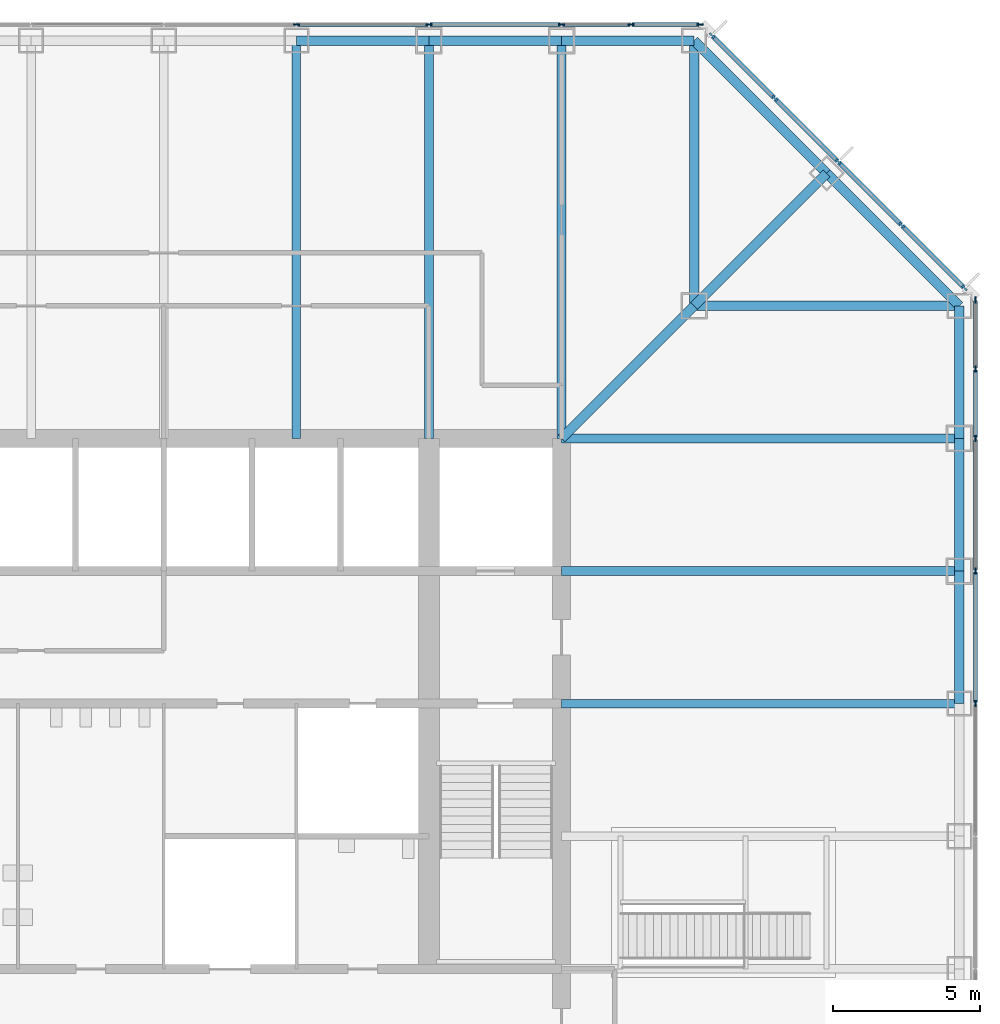
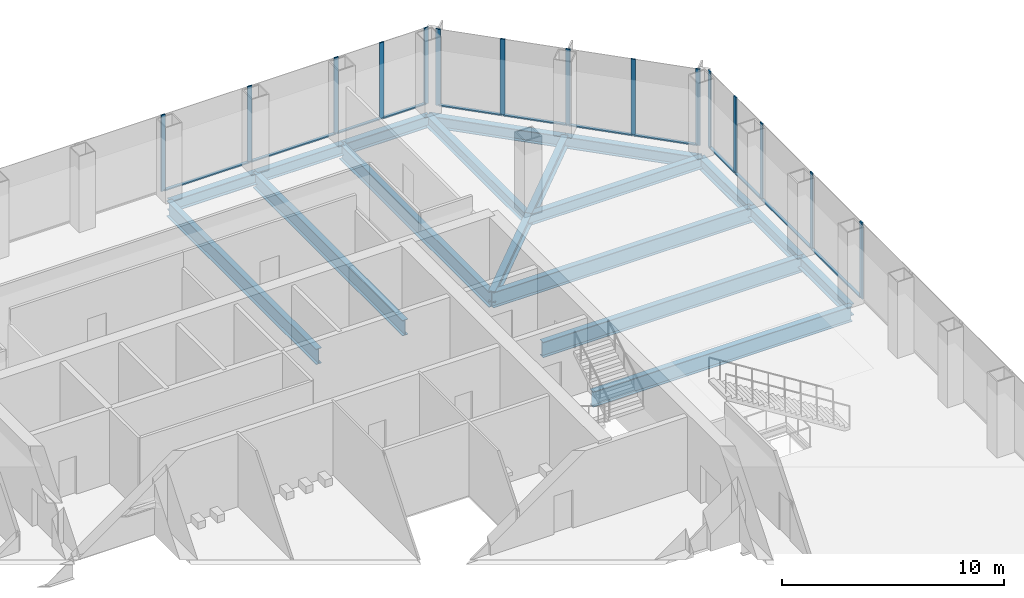
# One storey, part 6 of 12: 27 members, 18 beams, 3 elements without a shape of their own.
"""IFC4 building model written with IfcOpenShell, lengths in metres."""

import ifcopenshell
import ifcopenshell.guid

model = None  # the IFC model being written
_history = None  # IfcOwnerHistory: only IFC2X3 demands one
_inside = {}  # id of a spatial element -> (the spatial element, [elements in it])
_under = {}  # id of a project, library or spatial element -> (it, [spatial elements below it])
_declared = {}  # id of a project -> (the project, [libraries it declares])
_typed = {}  # id of a type object -> (the type object, [elements of that type])
_made_of = {}  # id of a material, layer set ... -> (it, [elements and type objects made of it])


def new_model(schema):
    """Start an empty IFC model of exactly this schema.

    Asked for "IFC4X3", IfcOpenShell would pick the latest addendum, in which some entities
    have other attributes; the version numbers below select the first issue.
    IFC2X3 requires an IfcOwnerHistory on every rooted entity: one is made here for all.
    """
    global model, _history
    if schema == "IFC4X3":
        model = ifcopenshell.file(schema_version=(4, 3, 0, 0))
    else:
        model = ifcopenshell.file(schema=schema)
    _inside.clear()
    _under.clear()
    _declared.clear()
    _typed.clear()
    _made_of.clear()
    _history = None
    if model.schema == "IFC2X3":
        org = make("IfcOrganization", Name="unknown")
        user = make(
            "IfcPersonAndOrganization",
            ThePerson=make("IfcPerson", FamilyName="unknown"),
            TheOrganization=org,
        )
        app = make(
            "IfcApplication",
            ApplicationDeveloper=org,
            Version="unknown",
            ApplicationFullName="unknown",
            ApplicationIdentifier="unknown",
        )
        _history = make(
            "IfcOwnerHistory",
            OwningUser=user,
            OwningApplication=app,
            ChangeAction="ADDED",
            CreationDate=0,
        )
    return model


def make(cls, **values):
    """One entity of the class cls with the attributes given. An attribute that is None is left unset."""
    return model.create_entity(
        cls, **{name: value for name, value in values.items() if value is not None}
    )


def rooted(cls, **values):
    """An entity with a GlobalId (a new one), such as an element, a storey or a relation."""
    return make(cls, GlobalId=ifcopenshell.guid.new(), OwnerHistory=_history, **values)


def si_unit(unit_type, name, prefix=None):
    """IfcSIUnit, for example si_unit("LENGTHUNIT", "METRE", prefix="MILLI")."""
    return make("IfcSIUnit", UnitType=unit_type, Prefix=prefix, Name=name)


def assignment(units):
    """IfcUnitAssignment: the units of a project."""
    return None if units is None else make("IfcUnitAssignment", Units=units)


def point(xyz):
    """IfcCartesianPoint."""
    return None if xyz is None else make("IfcCartesianPoint", Coordinates=xyz)


def direction(xyz):
    """IfcDirection."""
    return None if xyz is None else make("IfcDirection", DirectionRatios=xyz)


def frame(location, z_axis=None, x_axis=None):
    """IfcAxis2Placement3D, a coordinate frame: its origin and axes. An axis left out is left unset."""
    return make(
        "IfcAxis2Placement3D",
        Location=point(location),
        Axis=direction(z_axis),
        RefDirection=direction(x_axis),
    )


def frame_2d(location, x_axis=None):
    """IfcAxis2Placement2D, a coordinate frame in the plane: its origin and x axis."""
    return make(
        "IfcAxis2Placement2D", Location=point(location), RefDirection=direction(x_axis)
    )


def origin():
    """The frame at (0, 0, 0) with its axes left unset."""
    return frame((0.0, 0.0, 0.0))


def origin_2d():
    """The frame at (0, 0) in the plane with its x axis left unset."""
    return frame_2d((0.0, 0.0))


def place(relative_to, where):
    """IfcLocalPlacement: puts the frame where relative to a parent placement (None: the world)."""
    return make(
        "IfcLocalPlacement", PlacementRelTo=relative_to, RelativePlacement=where
    )


def context(
    kind, dimensions, precision=None, world=None, true_north=None, identifier=None
):
    """IfcGeometricRepresentationContext, for example the 3D "Model" context."""
    return make(
        "IfcGeometricRepresentationContext",
        ContextIdentifier=identifier,
        ContextType=kind,
        CoordinateSpaceDimension=dimensions,
        Precision=precision,
        WorldCoordinateSystem=world,
        TrueNorth=true_north,
    )


def subcontext(parent, identifier, kind, view, scale=None):
    """IfcGeometricRepresentationSubContext, for example "Body" below "Model"."""
    return make(
        "IfcGeometricRepresentationSubContext",
        ContextIdentifier=identifier,
        ContextType=kind,
        ParentContext=parent,
        TargetScale=scale,
        TargetView=view,
    )


def project(units=None, contexts=None):
    """IfcProject with its units and contexts."""
    return rooted(
        "IfcProject",
        Name="project",
        RepresentationContexts=contexts,
        UnitsInContext=assignment(units),
    )


def spatial(cls, under=None, at=None, **own):
    """A site, building, storey or space (cls), placed at a placement, below another one or the project."""
    s = rooted(cls, ObjectPlacement=at, **own)
    if under is not None:
        _under.setdefault(under.id(), (under, []))[1].append(s)
    return s


def profile(cls, at=None, kind="AREA", **sizes):
    """A parametric profile (cls). Its sizes go by their IFC names, for example OverallWidth=200.0."""
    return make(cls, ProfileType=kind, Position=at, **sizes)


def rectangle(**sizes):
    """IfcRectangleProfileDef."""
    return profile("IfcRectangleProfileDef", **sizes)


def i_section(**sizes):
    """IfcIShapeProfileDef."""
    return profile("IfcIShapeProfileDef", **sizes)


def extrude(swept, where, along, depth):
    """IfcExtrudedAreaSolid: the profile swept, set in the frame where, extruded along a direction by depth."""
    return make(
        "IfcExtrudedAreaSolid",
        SweptArea=swept,
        Position=where,
        ExtrudedDirection=direction(along),
        Depth=depth,
    )


def shape(context_of_items, identifier, shape_type, items):
    """IfcShapeRepresentation: the items that make up one representation, for example the "Body"."""
    return make(
        "IfcShapeRepresentation",
        ContextOfItems=context_of_items,
        RepresentationIdentifier=identifier,
        RepresentationType=shape_type,
        Items=items,
    )


def material(Name=None, Category=None):
    """IfcMaterial."""
    return make("IfcMaterial", Name=Name, Category=Category)


def material_profile(
    of_material, cross_section, Name=None, Category=None, Priority=None
):
    """IfcMaterialProfile: a cross section and its material."""
    return make(
        "IfcMaterialProfile",
        Name=Name,
        Material=of_material,
        Profile=cross_section,
        Priority=Priority,
        Category=Category,
    )


def profile_set(profiles, Name=None, composite=None):
    """IfcMaterialProfileSet."""
    return make(
        "IfcMaterialProfileSet",
        Name=Name,
        MaterialProfiles=profiles,
        CompositeProfile=composite,
    )


def made_of(thing, what):
    """Note that an element or type object is made of a material, layer set ...; save() writes the relation."""
    if what is not None:
        _made_of.setdefault(what.id(), (what, []))[1].append(thing)
    return thing


def type_object(cls, material=None, **own):
    """A type object (cls), such as IfcWallType, which elements share."""
    return made_of(rooted(cls, **own), material)


def element(
    cls,
    number,
    at=None,
    inside=None,
    cuts=None,
    type_object=None,
    material=None,
    context=None,
    identifier="Body",
    shape_type=None,
    held_by="IfcProductDefinitionShape",
    body=None,
    shapes=None,
    **own,
):
    """One element of the class cls, such as IfcWall. Its Tag is "e" and its number.

    at: its placement. inside: the storey or other place that contains it. cuts: it is an
    opening in that element (IfcRelVoidsElement). A single representation is given by context,
    identifier, shape_type and body (its items); several are given by shapes. held_by: the class
    of the entity that holds the representations. save() writes the other relations.
    """
    e = rooted(cls, Tag="e%d" % number, ObjectPlacement=at, **own)
    if body is not None:
        shapes = [shape(context, identifier, shape_type, body)]
    if shapes is not None:
        e.Representation = make(held_by, Representations=shapes)
    if inside is not None:
        _inside.setdefault(inside.id(), (inside, []))[1].append(e)
    if cuts is not None:
        rooted(
            "IfcRelVoidsElement", RelatingBuildingElement=cuts, RelatedOpeningElement=e
        )
    if type_object is not None:
        _typed.setdefault(type_object.id(), (type_object, []))[1].append(e)
    return made_of(e, material)


def aggregate(whole, parts):
    """IfcRelAggregates: a whole, such as a stair, and the parts it consists of."""
    return rooted("IfcRelAggregates", RelatingObject=whole, RelatedObjects=parts)


def save(model, path):
    """Write the relations noted so far, then the file.

    IfcRelAggregates (storeys below a building ...), IfcRelContainedInSpatialStructure (elements
    in a storey), IfcRelDefinesByType, IfcRelAssociatesMaterial and IfcRelDeclares: one each for
    every whole, place, type object, material and project.
    """
    for whole, parts in _under.values():
        aggregate(whole, parts)
    for where, things in _inside.values():
        rooted(
            "IfcRelContainedInSpatialStructure",
            RelatedElements=things,
            RelatingStructure=where,
        )
    for kind, things in _typed.values():
        rooted("IfcRelDefinesByType", RelatedObjects=things, RelatingType=kind)
    for what, things in _made_of.values():
        rooted("IfcRelAssociatesMaterial", RelatedObjects=things, RelatingMaterial=what)
    for by, libraries in _declared.values():
        rooted("IfcRelDeclares", RelatingContext=by, RelatedDefinitions=libraries)
    model.write(path)


model = new_model("IFC4")

# Units and contexts
model_context = context("Model", 3, precision=1e-05, world=origin(), true_north=direction((0.0, 1.0)))
body_context = subcontext(model_context, "Body", "Model", "MODEL_VIEW")
ifc_project = project(units=[si_unit("LENGTHUNIT", "METRE"), si_unit("AREAUNIT", "SQUARE_METRE"), si_unit("VOLUMEUNIT", "CUBIC_METRE"), si_unit("PLANEANGLEUNIT", "RADIAN"), si_unit("MASSUNIT", "GRAM", prefix="KILO")], contexts=[model_context])

# Site, building, storey
site_placement = place(None, origin())
site = spatial("IfcSite", under=ifc_project, at=site_placement, CompositionType="ELEMENT")
building_placement = place(site_placement, origin())
building = spatial("IfcBuilding", under=site, at=building_placement, Name="Corais Broadcast Tower", CompositionType="ELEMENT")
storey_placement = place(building_placement, frame((0.0, 0.0, 33.199951171875)))
storey = spatial("IfcBuildingStorey", under=building, at=storey_placement, Name="L06", CompositionType="ELEMENT", Elevation=33.199951171875)

# Beams
ifc_material_1 = material(Name="Steel ASTM A572 Grade 50", Category="steel")
ifc_material_profile_1 = material_profile(ifc_material_1, i_section(OverallWidth=0.323974609375, OverallDepth=0.611083984375, WebThickness=0.0126953125, FlangeThickness=0.01904296875, at=origin_2d()), Name="W610x155")
ifc_profile_set_1 = profile_set([ifc_material_profile_1], Name="Steel ASTM A572 Grade 50")
beam_type_1 = type_object("IfcBeamType", Name="Chamfer tie W610x155", PredefinedType="BEAM", material=ifc_profile_set_1)
beam_1_placement = place(storey_placement, frame((49.5, 49.5, -0.46533203125), z_axis=(-0.707106781187, -0.707106781187, 0.0), x_axis=(0.707106781187, -0.707106781187, 0.0)))
element("IfcBeam", 1, at=beam_1_placement, inside=storey, type_object=beam_type_1, Name="B5 M/14 to L/13", PredefinedType="BEAM", context=body_context, shape_type="SweptSolid", body=[
    extrude(i_section(OverallWidth=0.323974609375, OverallDepth=0.611083984375, WebThickness=0.0126953125, FlangeThickness=0.01904296875, at=origin_2d()), origin(), (0.0, 0.0, 1.0), 6.364013671875),
])
ifc_material_2 = material(Name="Steel ASTM A572 Grade 50", Category="steel")
ifc_material_profile_2 = material_profile(ifc_material_2, i_section(OverallWidth=0.323974609375, OverallDepth=0.611083984375, WebThickness=0.0126953125, FlangeThickness=0.01904296875, at=origin_2d()), Name="W610x155")
ifc_profile_set_2 = profile_set([ifc_material_profile_2], Name="Steel ASTM A572 Grade 50")
beam_type_2 = type_object("IfcBeamType", Name="Corner diagonal W610x155", PredefinedType="BEAM", material=ifc_profile_set_2)
beam_2_placement = place(storey_placement, frame((45.0, 45.0, -0.46533203125), z_axis=(-0.707106781187, -0.707106781187, 0.0), x_axis=(0.707106781187, -0.707106781187, 0.0)))
element("IfcBeam", 2, at=beam_2_placement, inside=storey, type_object=beam_type_2, Name="B6 L/13 to K/12", PredefinedType="BEAM", context=body_context, shape_type="SweptSolid", body=[
    extrude(i_section(OverallWidth=0.323974609375, OverallDepth=0.611083984375, WebThickness=0.0126953125, FlangeThickness=0.01904296875, at=origin_2d()), origin(), (0.0, 0.0, 1.0), 6.364013671875),
])
ifc_material_3 = material(Name="Steel ASTM A572 Grade 50", Category="steel")
ifc_material_profile_3 = material_profile(ifc_material_3, i_section(OverallWidth=0.323974609375, OverallDepth=0.611083984375, WebThickness=0.0126953125, FlangeThickness=0.01904296875, at=origin_2d()), Name="W610x155")
ifc_profile_set_3 = profile_set([ifc_material_profile_3], Name="Steel ASTM A572 Grade 50")
beam_type_3 = type_object("IfcBeamType", Name="Corner girder W610x155", PredefinedType="BEAM", material=ifc_profile_set_3)
for number, where, z_axis, x_axis, name in (
    (3, (45.0, 54.0, -0.46533203125), (0.0, -1.0, 0.0), (1.0, 0.0, 0.0), "B4 N/13 to L/13"),
    (4, (54.0, 45.0, -0.46533203125), (-1.0, 0.0, 0.0), (0.0, -1.0, 0.0), "B4 L/15 to L/13"),
):
    element("IfcBeam", number, at=place(storey_placement, frame(where, z_axis=z_axis, x_axis=x_axis)), inside=storey, type_object=beam_type_3, Name=name, PredefinedType="BEAM", context=body_context, shape_type="SweptSolid", body=[
        extrude(i_section(OverallWidth=0.323974609375, OverallDepth=0.611083984375, WebThickness=0.0126953125, FlangeThickness=0.01904296875, at=origin_2d()), origin(), (0.0, 0.0, 1.0), 9.0),
    ])
ifc_material_4 = material(Name="Steel ASTM A572 Grade 50", Category="steel")
ifc_material_profile_4 = material_profile(ifc_material_4, i_section(OverallWidth=0.2939453125, OverallDepth=0.85107421875, WebThickness=0.01611328125, FlangeThickness=0.02685546875, at=origin_2d()), Name="W840x226")
ifc_profile_set_4 = profile_set([ifc_material_profile_4], Name="Steel ASTM A572 Grade 50")
beam_type_4 = type_object("IfcBeamType", Name="Floor beam W840x226", PredefinedType="BEAM", material=ifc_profile_set_4)
for number, where, z_axis, x_axis, name in (
    (5, (31.5, 54.0, -0.58544921875), (0.0, -1.0, 0.0), (1.0, 0.0, 0.0), "B1 N/10 to K/10"),
    (6, (36.0, 54.0, -0.58544921875), (0.0, -1.0, 0.0), (1.0, 0.0, 0.0), "B1 N/11 to K/11"),
    (7, (40.5, 54.0, -0.58544921875), (0.0, -1.0, 0.0), (1.0, 0.0, 0.0), "B1 N/12 to K/12"),
    (8, (54.0, 31.5, -0.58544921875), (-1.0, 0.0, 0.0), (0.0, -1.0, 0.0), "B1 H/15 to H/12"),
    (9, (54.0, 36.0, -0.58544921875), (-1.0, 0.0, 0.0), (0.0, -1.0, 0.0), "B1 J/15 to J/12"),
    (10, (54.0, 40.5, -0.58544921875), (-1.0, 0.0, 0.0), (0.0, -1.0, 0.0), "B1 K/15 to K/12"),
):
    element("IfcBeam", number, at=place(storey_placement, frame(where, z_axis=z_axis, x_axis=x_axis)), inside=storey, type_object=beam_type_4, Name=name, PredefinedType="BEAM", context=body_context, shape_type="SweptSolid", body=[
        extrude(i_section(OverallWidth=0.2939453125, OverallDepth=0.85107421875, WebThickness=0.01611328125, FlangeThickness=0.02685546875, at=origin_2d()), origin(), (0.0, 0.0, 1.0), 13.5),
    ])

# Curtain wall, members
ifc_material_5 = material(Name="Aluminium and glass", Category="aluminium")
curtain_wall_type = type_object("IfcCurtainWallType", Name="Newsroom clear-glass curtain wall CW7", PredefinedType="NOTDEFINED", material=ifc_material_5)
curtain_wall_1_placement = place(storey_placement, origin())
curtain_wall_1 = element("IfcCurtainWall", 11, at=curtain_wall_1_placement, inside=storey, type_object=curtain_wall_type, Name="CW7 curtain wall L06 4", PredefinedType="NOTDEFINED")
ifc_material_6 = material(Name="Aluminium 6063-T6", Category="aluminium")
ifc_material_profile_5 = material_profile(ifc_material_6, rectangle(XDim=0.06494140625, YDim=0.219970703125, at=origin_2d()), Name="Mullion CW7 65x220")
ifc_profile_set_5 = profile_set([ifc_material_profile_5], Name="Aluminium 6063-T6")
member_type_1 = type_object("IfcMemberType", Name="Mullion CW7 65x220", PredefinedType="MULLION", material=ifc_profile_set_5)
member_1_placement = place(storey_placement, frame((31.5, 54.550048828125, 0.0), z_axis=(0.0, 0.0, 1.0), x_axis=(0.0, 1.0, 0.0)))
member_1 = element("IfcMember", 12, at=member_1_placement, type_object=member_type_1, Name="CW7 mullion 7", PredefinedType="MULLION", context=body_context, shape_type="SweptSolid", body=[
    extrude(rectangle(XDim=0.06494140625, YDim=0.219970703125, at=origin_2d()), origin(), (0.0, 0.0, 1.0), 4.199951171875),
])
member_2_placement = place(storey_placement, frame((36.0, 54.550048828125, 0.0), z_axis=(0.0, 0.0, 1.0), x_axis=(0.0, 1.0, 0.0)))
member_2 = element("IfcMember", 13, at=member_2_placement, type_object=member_type_1, Name="CW7 mullion 8", PredefinedType="MULLION", context=body_context, shape_type="SweptSolid", body=[
    extrude(rectangle(XDim=0.06494140625, YDim=0.219970703125, at=origin_2d()), origin(), (0.0, 0.0, 1.0), 4.199951171875),
])
member_3_placement = place(storey_placement, frame((40.5, 54.550048828125, 0.0), z_axis=(0.0, 0.0, 1.0), x_axis=(0.0, 1.0, 0.0)))
member_3 = element("IfcMember", 14, at=member_3_placement, type_object=member_type_1, Name="CW7 mullion 9", PredefinedType="MULLION", context=body_context, shape_type="SweptSolid", body=[
    extrude(rectangle(XDim=0.06494140625, YDim=0.219970703125, at=origin_2d()), origin(), (0.0, 0.0, 1.0), 4.199951171875),
])
member_4_placement = place(storey_placement, frame((42.864013671875, 54.550048828125, 0.0), z_axis=(0.0, 0.0, 1.0), x_axis=(0.0, 1.0, 0.0)))
member_4 = element("IfcMember", 15, at=member_4_placement, type_object=member_type_1, Name="CW7 mullion 10", PredefinedType="MULLION", context=body_context, shape_type="SweptSolid", body=[
    extrude(rectangle(XDim=0.06494140625, YDim=0.219970703125, at=origin_2d()), origin(), (0.0, 0.0, 1.0), 4.199951171875),
])
member_5_placement = place(storey_placement, frame((45.1953125, 54.550048828125, 0.0), z_axis=(0.0, 0.0, 1.0), x_axis=(0.0, 1.0, 0.0)))
member_5 = element("IfcMember", 16, at=member_5_placement, type_object=member_type_1, Name="CW7 mullion 11", PredefinedType="MULLION", context=body_context, shape_type="SweptSolid", body=[
    extrude(rectangle(XDim=0.06494140625, YDim=0.219970703125, at=origin_2d()), origin(), (0.0, 0.0, 1.0), 4.199951171875),
])

curtain_wall_2_placement = place(storey_placement, origin())
curtain_wall_2 = element("IfcCurtainWall", 17, at=curtain_wall_2_placement, inside=storey, type_object=curtain_wall_type, Name="CW7 curtain wall L06 5", PredefinedType="NOTDEFINED")
member_6_placement = place(storey_placement, frame((45.6044921875, 54.17333984375, 0.0), z_axis=(0.0, 0.0, 1.0), x_axis=(0.707106781187, 0.707106781187, 0.0)))
member_6 = element("IfcMember", 18, at=member_6_placement, type_object=member_type_1, Name="CW7 mullion 1", PredefinedType="MULLION", context=body_context, shape_type="SweptSolid", body=[
    extrude(rectangle(XDim=0.06494140625, YDim=0.219970703125, at=origin_2d()), origin(), (0.0, 0.0, 1.0), 4.199951171875),
])
member_7_placement = place(storey_placement, frame((47.735107421875, 52.042724609375, 0.0), z_axis=(0.0, 0.0, 1.0), x_axis=(0.707106781187, 0.707106781187, 0.0)))
member_7 = element("IfcMember", 19, at=member_7_placement, type_object=member_type_1, Name="CW7 mullion 2", PredefinedType="MULLION", context=body_context, shape_type="SweptSolid", body=[
    extrude(rectangle(XDim=0.06494140625, YDim=0.219970703125, at=origin_2d()), origin(), (0.0, 0.0, 1.0), 4.199951171875),
])
member_8_placement = place(storey_placement, frame((49.888916015625, 49.888916015625, 0.0), z_axis=(0.0, 0.0, 1.0), x_axis=(0.707106781187, 0.707106781187, 0.0)))
member_8 = element("IfcMember", 20, at=member_8_placement, type_object=member_type_1, Name="CW7 mullion 3", PredefinedType="MULLION", context=body_context, shape_type="SweptSolid", body=[
    extrude(rectangle(XDim=0.06494140625, YDim=0.219970703125, at=origin_2d()), origin(), (0.0, 0.0, 1.0), 4.199951171875),
])
member_9_placement = place(storey_placement, frame((52.042724609375, 47.735107421875, 0.0), z_axis=(0.0, 0.0, 1.0), x_axis=(0.707106781187, 0.707106781187, 0.0)))
member_9 = element("IfcMember", 21, at=member_9_placement, type_object=member_type_1, Name="CW7 mullion 4", PredefinedType="MULLION", context=body_context, shape_type="SweptSolid", body=[
    extrude(rectangle(XDim=0.06494140625, YDim=0.219970703125, at=origin_2d()), origin(), (0.0, 0.0, 1.0), 4.199951171875),
])
member_10_placement = place(storey_placement, frame((54.17333984375, 45.6044921875, 0.0), z_axis=(0.0, 0.0, 1.0), x_axis=(0.707106781187, 0.707106781187, 0.0)))
member_10 = element("IfcMember", 22, at=member_10_placement, type_object=member_type_1, Name="CW7 mullion 5", PredefinedType="MULLION", context=body_context, shape_type="SweptSolid", body=[
    extrude(rectangle(XDim=0.06494140625, YDim=0.219970703125, at=origin_2d()), origin(), (0.0, 0.0, 1.0), 4.199951171875),
])

curtain_wall_3_placement = place(storey_placement, origin())
curtain_wall_3 = element("IfcCurtainWall", 23, at=curtain_wall_3_placement, inside=storey, type_object=curtain_wall_type, Name="CW7 curtain wall L06 6", PredefinedType="NOTDEFINED")
member_11_placement = place(storey_placement, frame((54.550048828125, 45.1953125, 0.0), z_axis=(0.0, 0.0, 1.0), x_axis=(1.0, 0.0, 0.0)))
member_11 = element("IfcMember", 24, at=member_11_placement, type_object=member_type_1, Name="CW7 mullion 1", PredefinedType="MULLION", context=body_context, shape_type="SweptSolid", body=[
    extrude(rectangle(XDim=0.06494140625, YDim=0.219970703125, at=origin_2d()), origin(), (0.0, 0.0, 1.0), 4.199951171875),
])
member_12_placement = place(storey_placement, frame((54.550048828125, 42.864013671875, 0.0), z_axis=(0.0, 0.0, 1.0), x_axis=(1.0, 0.0, 0.0)))
member_12 = element("IfcMember", 25, at=member_12_placement, type_object=member_type_1, Name="CW7 mullion 2", PredefinedType="MULLION", context=body_context, shape_type="SweptSolid", body=[
    extrude(rectangle(XDim=0.06494140625, YDim=0.219970703125, at=origin_2d()), origin(), (0.0, 0.0, 1.0), 4.199951171875),
])
member_13_placement = place(storey_placement, frame((54.550048828125, 40.5, 0.0), z_axis=(0.0, 0.0, 1.0), x_axis=(1.0, 0.0, 0.0)))
member_13 = element("IfcMember", 26, at=member_13_placement, type_object=member_type_1, Name="CW7 mullion 3", PredefinedType="MULLION", context=body_context, shape_type="SweptSolid", body=[
    extrude(rectangle(XDim=0.06494140625, YDim=0.219970703125, at=origin_2d()), origin(), (0.0, 0.0, 1.0), 4.199951171875),
])
member_14_placement = place(storey_placement, frame((54.550048828125, 36.0, 0.0), z_axis=(0.0, 0.0, 1.0), x_axis=(1.0, 0.0, 0.0)))
member_14 = element("IfcMember", 27, at=member_14_placement, type_object=member_type_1, Name="CW7 mullion 4", PredefinedType="MULLION", context=body_context, shape_type="SweptSolid", body=[
    extrude(rectangle(XDim=0.06494140625, YDim=0.219970703125, at=origin_2d()), origin(), (0.0, 0.0, 1.0), 4.199951171875),
])
member_15_placement = place(storey_placement, frame((54.550048828125, 31.5, 0.0), z_axis=(0.0, 0.0, 1.0), x_axis=(1.0, 0.0, 0.0)))
member_15 = element("IfcMember", 28, at=member_15_placement, type_object=member_type_1, Name="CW7 mullion 5", PredefinedType="MULLION", context=body_context, shape_type="SweptSolid", body=[
    extrude(rectangle(XDim=0.06494140625, YDim=0.219970703125, at=origin_2d()), origin(), (0.0, 0.0, 1.0), 4.199951171875),
])

# Beams
ifc_material_7 = material(Name="Steel ASTM A572 Grade 50", Category="steel")
ifc_material_profile_6 = material_profile(ifc_material_7, i_section(OverallWidth=0.323974609375, OverallDepth=0.611083984375, WebThickness=0.0126953125, FlangeThickness=0.01904296875, at=origin_2d()), Name="W610x155")
ifc_profile_set_6 = profile_set([ifc_material_profile_6], Name="Steel ASTM A572 Grade 50")
beam_type_5 = type_object("IfcBeamType", Name="Pinned spandrel W610x155", PredefinedType="BEAM", material=ifc_profile_set_6)
for number, where, z_axis, x_axis, name in (
    (29, (40.5, 54.0, -0.46533203125), (-1.0, 0.0, 0.0), (0.0, -1.0, 0.0), "SB6 N/12 to N/11"),
    (30, (54.0, 36.0, -0.46533203125), (0.0, 1.0, 0.0), (-1.0, 0.0, 0.0), "SB6 J/15 to K/15"),
):
    element("IfcBeam", number, at=place(storey_placement, frame(where, z_axis=z_axis, x_axis=x_axis)), inside=storey, type_object=beam_type_5, Name=name, PredefinedType="BEAM", context=body_context, shape_type="SweptSolid", body=[
        extrude(i_section(OverallWidth=0.323974609375, OverallDepth=0.611083984375, WebThickness=0.0126953125, FlangeThickness=0.01904296875, at=origin_2d()), origin(), (0.0, 0.0, 1.0), 4.5),
    ])
ifc_material_8 = material(Name="Steel ASTM A572 Grade 50", Category="steel")
ifc_material_profile_7 = material_profile(ifc_material_8, i_section(OverallWidth=0.3291015625, OverallDepth=0.635009765625, WebThickness=0.017822265625, FlangeThickness=0.031005859375, at=origin_2d()), Name="W610x241")
ifc_profile_set_7 = profile_set([ifc_material_profile_7], Name="Steel ASTM A572 Grade 50")
beam_type_6 = type_object("IfcBeamType", Name="Spandrel W610x241", PredefinedType="BEAM", material=ifc_profile_set_7)
for number, where, z_axis, x_axis, name in (
    (31, (36.0, 54.0, -0.4775390625), (-1.0, 0.0, 0.0), (0.0, -1.0, 0.0), "SB1 N/11 to N/10"),
    (32, (45.0, 54.0, -0.4775390625), (-1.0, 0.0, 0.0), (0.0, -1.0, 0.0), "SB1 N/13 to N/12"),
):
    element("IfcBeam", number, at=place(storey_placement, frame(where, z_axis=z_axis, x_axis=x_axis)), inside=storey, type_object=beam_type_6, Name=name, PredefinedType="BEAM", context=body_context, shape_type="SweptSolid", body=[
        extrude(i_section(OverallWidth=0.3291015625, OverallDepth=0.635009765625, WebThickness=0.017822265625, FlangeThickness=0.031005859375, at=origin_2d()), origin(), (0.0, 0.0, 1.0), 4.5),
    ])
beam_3_placement = place(storey_placement, frame((49.5, 49.5, -0.4775390625), z_axis=(-0.707106781187, 0.707106781187, 0.0), x_axis=(-0.707106781187, -0.707106781187, 0.0)))
element("IfcBeam", 33, at=beam_3_placement, inside=storey, type_object=beam_type_6, Name="SB1 M/14 to N/13", PredefinedType="BEAM", context=body_context, shape_type="SweptSolid", body=[
    extrude(i_section(OverallWidth=0.3291015625, OverallDepth=0.635009765625, WebThickness=0.017822265625, FlangeThickness=0.031005859375, at=origin_2d()), origin(), (0.0, 0.0, 1.0), 6.364013671875),
])
for number, where, z_axis, x_axis, name in (
    (34, (54.0, 31.5, -0.4775390625), (0.0, 1.0, 0.0), (-1.0, 0.0, 0.0), "SB1 H/15 to J/15"),
    (35, (54.0, 40.5, -0.4775390625), (0.0, 1.0, 0.0), (-1.0, 0.0, 0.0), "SB1 K/15 to L/15"),
):
    element("IfcBeam", number, at=place(storey_placement, frame(where, z_axis=z_axis, x_axis=x_axis)), inside=storey, type_object=beam_type_6, Name=name, PredefinedType="BEAM", context=body_context, shape_type="SweptSolid", body=[
        extrude(i_section(OverallWidth=0.3291015625, OverallDepth=0.635009765625, WebThickness=0.017822265625, FlangeThickness=0.031005859375, at=origin_2d()), origin(), (0.0, 0.0, 1.0), 4.5),
    ])
beam_4_placement = place(storey_placement, frame((54.0, 45.0, -0.4775390625), z_axis=(-0.707106781187, 0.707106781187, 0.0), x_axis=(-0.707106781187, -0.707106781187, 0.0)))
element("IfcBeam", 36, at=beam_4_placement, inside=storey, type_object=beam_type_6, Name="SB1 L/15 to M/14", PredefinedType="BEAM", context=body_context, shape_type="SweptSolid", body=[
    extrude(i_section(OverallWidth=0.3291015625, OverallDepth=0.635009765625, WebThickness=0.017822265625, FlangeThickness=0.031005859375, at=origin_2d()), origin(), (0.0, 0.0, 1.0), 6.364013671875),
])

# Member
ifc_material_9 = material(Name="Aluminium 6063-T6", Category="aluminium")
ifc_material_profile_8 = material_profile(ifc_material_9, rectangle(XDim=0.14990234375, YDim=0.06494140625, at=origin_2d()), Name="Transom CW7 65x150")
ifc_profile_set_8 = profile_set([ifc_material_profile_8], Name="Aluminium 6063-T6")
member_type_2 = type_object("IfcMemberType", Name="Transom CW7 65x150", PredefinedType="USERDEFINED", material=ifc_profile_set_8)
member_16_placement = place(storey_placement, frame((31.532470703125, 54.550048828125, 0.032470703125), z_axis=(1.0, 0.0, 0.0), x_axis=(0.0, 1.0, 0.0)))
member_16 = element("IfcMember", 37, at=member_16_placement, type_object=member_type_2, Name="CW7 transom 7.1", ObjectType="TRANSOM", PredefinedType="USERDEFINED", context=body_context, shape_type="SweptSolid", body=[
    extrude(rectangle(XDim=0.14990234375, YDim=0.06494140625, at=origin_2d()), origin(), (0.0, 0.0, 1.0), 4.43505859375),
])

member_17_placement = place(storey_placement, frame((36.032470703125, 54.550048828125, 0.032470703125), z_axis=(1.0, 0.0, 0.0), x_axis=(0.0, 1.0, 0.0)))
member_17 = element("IfcMember", 38, at=member_17_placement, type_object=member_type_2, Name="CW7 transom 8.1", ObjectType="TRANSOM", PredefinedType="USERDEFINED", context=body_context, shape_type="SweptSolid", body=[
    extrude(rectangle(XDim=0.14990234375, YDim=0.06494140625, at=origin_2d()), origin(), (0.0, 0.0, 1.0), 4.43505859375),
])

member_18_placement = place(storey_placement, frame((40.532470703125, 54.550048828125, 0.032470703125), z_axis=(1.0, 0.0, 0.0), x_axis=(0.0, 1.0, 0.0)))
member_18 = element("IfcMember", 39, at=member_18_placement, type_object=member_type_2, Name="CW7 transom 9.1", ObjectType="TRANSOM", PredefinedType="USERDEFINED", context=body_context, shape_type="SweptSolid", body=[
    extrude(rectangle(XDim=0.14990234375, YDim=0.06494140625, at=origin_2d()), origin(), (0.0, 0.0, 1.0), 2.298828125),
])

member_19_placement = place(storey_placement, frame((42.896484375, 54.550048828125, 0.032470703125), z_axis=(1.0, 0.0, 0.0), x_axis=(0.0, 1.0, 0.0)))
member_19 = element("IfcMember", 40, at=member_19_placement, type_object=member_type_2, Name="CW7 transom 10.1", ObjectType="TRANSOM", PredefinedType="USERDEFINED", context=body_context, shape_type="SweptSolid", body=[
    extrude(rectangle(XDim=0.14990234375, YDim=0.06494140625, at=origin_2d()), origin(), (0.0, 0.0, 1.0), 2.266357421875),
])

aggregate(curtain_wall_1, [member_1, member_2, member_3, member_4, member_5, member_16, member_17, member_18, member_19])

member_20_placement = place(storey_placement, frame((45.62744140625, 54.150390625, 0.032470703125), z_axis=(0.707106781187, -0.707106781187, 0.0), x_axis=(0.707106781187, 0.707106781187, 0.0)))
member_20 = element("IfcMember", 41, at=member_20_placement, type_object=member_type_2, Name="CW7 transom 1.1", ObjectType="TRANSOM", PredefinedType="USERDEFINED", context=body_context, shape_type="SweptSolid", body=[
    extrude(rectangle(XDim=0.14990234375, YDim=0.06494140625, at=origin_2d()), origin(), (0.0, 0.0, 1.0), 2.9482421875),
])

member_21_placement = place(storey_placement, frame((47.758056640625, 52.019775390625, 0.032470703125), z_axis=(0.707106781187, -0.707106781187, 0.0), x_axis=(0.707106781187, 0.707106781187, 0.0)))
member_21 = element("IfcMember", 42, at=member_21_placement, type_object=member_type_2, Name="CW7 transom 2.1", ObjectType="TRANSOM", PredefinedType="USERDEFINED", context=body_context, shape_type="SweptSolid", body=[
    extrude(rectangle(XDim=0.14990234375, YDim=0.06494140625, at=origin_2d()), origin(), (0.0, 0.0, 1.0), 2.98095703125),
])

member_22_placement = place(storey_placement, frame((49.911865234375, 49.865966796875, 0.032470703125), z_axis=(0.707106781187, -0.707106781187, 0.0), x_axis=(0.707106781187, 0.707106781187, 0.0)))
member_22 = element("IfcMember", 43, at=member_22_placement, type_object=member_type_2, Name="CW7 transom 3.1", ObjectType="TRANSOM", PredefinedType="USERDEFINED", context=body_context, shape_type="SweptSolid", body=[
    extrude(rectangle(XDim=0.14990234375, YDim=0.06494140625, at=origin_2d()), origin(), (0.0, 0.0, 1.0), 2.98095703125),
])

member_23_placement = place(storey_placement, frame((52.065673828125, 47.712158203125, 0.032470703125), z_axis=(0.707106781187, -0.707106781187, 0.0), x_axis=(0.707106781187, 0.707106781187, 0.0)))
member_23 = element("IfcMember", 44, at=member_23_placement, type_object=member_type_2, Name="CW7 transom 4.1", ObjectType="TRANSOM", PredefinedType="USERDEFINED", context=body_context, shape_type="SweptSolid", body=[
    extrude(rectangle(XDim=0.14990234375, YDim=0.06494140625, at=origin_2d()), origin(), (0.0, 0.0, 1.0), 2.9482421875),
])

aggregate(curtain_wall_2, [member_6, member_7, member_8, member_9, member_10, member_20, member_21, member_22, member_23])

member_24_placement = place(storey_placement, frame((54.550048828125, 45.162841796875, 0.032470703125), z_axis=(0.0, -1.0, 0.0), x_axis=(1.0, 0.0, 0.0)))
member_24 = element("IfcMember", 45, at=member_24_placement, type_object=member_type_2, Name="CW7 transom 1.1", ObjectType="TRANSOM", PredefinedType="USERDEFINED", context=body_context, shape_type="SweptSolid", body=[
    extrude(rectangle(XDim=0.14990234375, YDim=0.06494140625, at=origin_2d()), origin(), (0.0, 0.0, 1.0), 2.266357421875),
])

member_25_placement = place(storey_placement, frame((54.550048828125, 42.831298828125, 0.032470703125), z_axis=(0.0, -1.0, 0.0), x_axis=(1.0, 0.0, 0.0)))
member_25 = element("IfcMember", 46, at=member_25_placement, type_object=member_type_2, Name="CW7 transom 2.1", ObjectType="TRANSOM", PredefinedType="USERDEFINED", context=body_context, shape_type="SweptSolid", body=[
    extrude(rectangle(XDim=0.14990234375, YDim=0.06494140625, at=origin_2d()), origin(), (0.0, 0.0, 1.0), 2.298828125),
])

member_26_placement = place(storey_placement, frame((54.550048828125, 40.467529296875, 0.032470703125), z_axis=(0.0, -1.0, 0.0), x_axis=(1.0, 0.0, 0.0)))
member_26 = element("IfcMember", 47, at=member_26_placement, type_object=member_type_2, Name="CW7 transom 3.1", ObjectType="TRANSOM", PredefinedType="USERDEFINED", context=body_context, shape_type="SweptSolid", body=[
    extrude(rectangle(XDim=0.14990234375, YDim=0.06494140625, at=origin_2d()), origin(), (0.0, 0.0, 1.0), 4.43505859375),
])

member_27_placement = place(storey_placement, frame((54.550048828125, 35.967529296875, 0.032470703125), z_axis=(0.0, -1.0, 0.0), x_axis=(1.0, 0.0, 0.0)))
member_27 = element("IfcMember", 48, at=member_27_placement, type_object=member_type_2, Name="CW7 transom 4.1", ObjectType="TRANSOM", PredefinedType="USERDEFINED", context=body_context, shape_type="SweptSolid", body=[
    extrude(rectangle(XDim=0.14990234375, YDim=0.06494140625, at=origin_2d()), origin(), (0.0, 0.0, 1.0), 4.43505859375),
])

aggregate(curtain_wall_3, [member_11, member_12, member_13, member_14, member_15, member_24, member_25, member_26, member_27])

save(model, "model.ifc")
